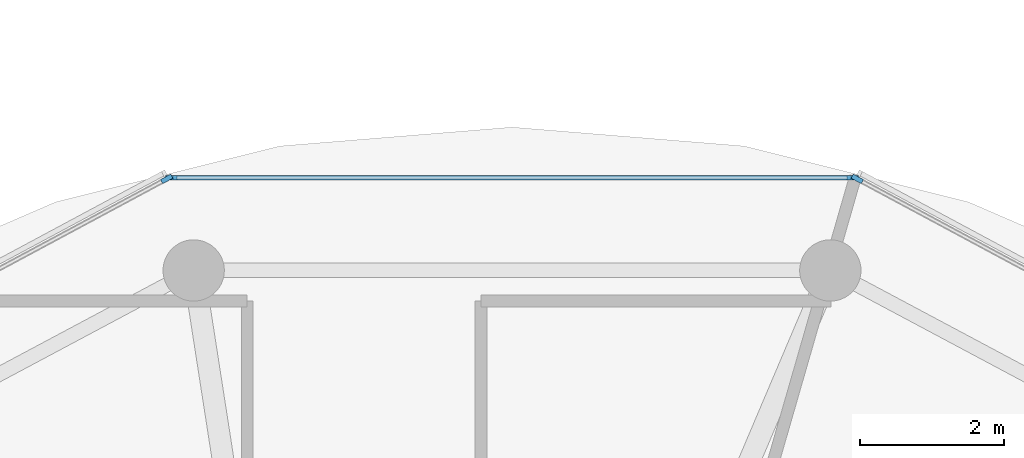
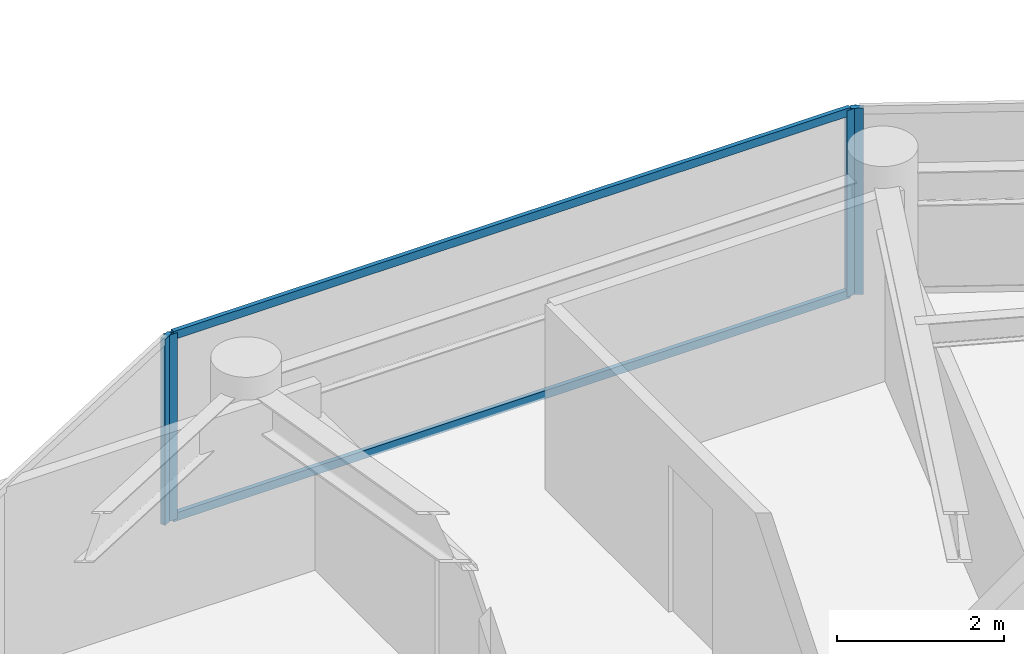
# One storey, part 9 of 22: 6 members, 3 elements without a shape of their own.
"""IFC4 building model written with IfcOpenShell, lengths in metres."""

from ifc_helpers import new_model, si_unit, direction, frame, origin, origin_2d, place, context, subcontext, project, spatial, rectangle, extrude, source, transform, mapped, material, layer, layer_set, material_profile, profile_set, type_object, type_shapes, element, aggregate, save


model = new_model("IFC4")

# Units and contexts
model_context = context("Model", 3, precision=1e-05, world=origin(), true_north=direction((0.0, 1.0)))
body_context = subcontext(model_context, "Body", "Model", "MODEL_VIEW")
ifc_project = project(units=[si_unit("LENGTHUNIT", "METRE"), si_unit("AREAUNIT", "SQUARE_METRE"), si_unit("VOLUMEUNIT", "CUBIC_METRE"), si_unit("PLANEANGLEUNIT", "RADIAN"), si_unit("MASSUNIT", "GRAM", prefix="KILO")], contexts=[model_context])

# Site, building, storey
site_placement = place(None, origin())
site = spatial("IfcSite", under=ifc_project, at=site_placement, CompositionType="ELEMENT")
building_placement = place(site_placement, origin())
building = spatial("IfcBuilding", under=site, at=building_placement, Name="Norrkilde Senior Care Towers", CompositionType="ELEMENT")
storey_placement = place(building_placement, frame((0.0, 0.0, 126.75)))
storey = spatial("IfcBuildingStorey", under=building, at=storey_placement, Name="L39", CompositionType="ELEMENT", Elevation=126.75)

# Curtain wall, member
ifc_material_1 = material(Name="Triple Low-E Insulated Glazing", Category="glass")
ifc_layer = layer(ifc_material_1, 0.195068359375)
ifc_layer_set = layer_set([ifc_layer], Name="Triple Low-E Insulated Glazing")
curtain_wall_type = type_object("IfcCurtainWallType", Name="CW3 Zone 2 Assisted Living Curtain Wall", PredefinedType="NOTDEFINED", material=ifc_layer_set)
curtain_wall_1_placement = place(storey_placement, origin())
curtain_wall_1 = element("IfcCurtainWall", 1, at=curtain_wall_1_placement, inside=storey, type_object=curtain_wall_type, Name="L39 Drum W Curtain Wall 01", PredefinedType="NOTDEFINED")
ifc_material_2 = material(Name="Anodised Aluminium", Category="aluminium")
ifc_material_profile_1 = material_profile(ifc_material_2, rectangle(XDim=0.06494140625, YDim=0.159912109375, at=origin_2d()), Name="ALU MULL 65x160")
ifc_profile_set_1 = profile_set([ifc_material_profile_1], Name="Anodised Aluminium")
member_type_1 = type_object("IfcMemberType", Name="Curtain Wall Mullion Z1-Z2 65x160", PredefinedType="MULLION", material=ifc_profile_set_1)
shared_shape_1 = source(origin(), body_context, "Body", "SweptSolid", [
    extrude(rectangle(XDim=0.06494140625, YDim=0.159912109375, at=origin_2d()), origin(), (0.0, 0.0, 1.0), 2.72998046875),
])
type_shapes(member_type_1, [shared_shape_1])
member_1_placement = place(storey_placement, frame((-21.164306640625, 16.482666015625, 0.0), z_axis=(0.0, 0.0, 1.0), x_axis=(0.472769402511, 0.881186184668, 0.0)))
member_1 = element("IfcMember", 2, at=member_1_placement, type_object=member_type_1, Name="CW-3 mullion 1", PredefinedType="MULLION", context=body_context, shape_type="MappedRepresentation", body=[
    mapped(shared_shape_1, transform((0.0, 0.0, 0.0), x_axis=(1.0, 0.0, 0.0), y_axis=(0.0, 1.0, 0.0), z_axis=(0.0, 0.0, 1.0), scale=1.0)),
])
aggregate(curtain_wall_1, [member_1])

# Curtain wall, members
curtain_wall_2_placement = place(storey_placement, origin())
curtain_wall_2 = element("IfcCurtainWall", 3, at=curtain_wall_2_placement, inside=storey, type_object=curtain_wall_type, Name="L39 Drum W Curtain Wall 02", PredefinedType="NOTDEFINED")
member_2_placement = place(storey_placement, frame((-30.674560546875, 16.498046875, 0.0), z_axis=(0.0, 0.0, 1.0), x_axis=(0.0, 1.0, 0.0)))
member_2 = element("IfcMember", 4, at=member_2_placement, type_object=member_type_1, Name="CW-3 mullion 1", PredefinedType="MULLION", context=body_context, shape_type="MappedRepresentation", body=[
    mapped(shared_shape_1, transform((0.0, 0.0, 0.0), x_axis=(1.0, 0.0, 0.0), y_axis=(0.0, 1.0, 0.0), z_axis=(0.0, 0.0, 1.0), scale=1.0)),
])
member_3_placement = place(storey_placement, frame((-21.225341796875, 16.498046875, 0.0), z_axis=(0.0, 0.0, 1.0), x_axis=(0.0, 1.0, 0.0)))
member_3 = element("IfcMember", 5, at=member_3_placement, type_object=member_type_1, Name="CW-3 mullion 2", PredefinedType="MULLION", context=body_context, shape_type="MappedRepresentation", body=[
    mapped(shared_shape_1, transform((0.0, 0.0, 0.0), x_axis=(1.0, 0.0, 0.0), y_axis=(0.0, 1.0, 0.0), z_axis=(0.0, 0.0, 1.0), scale=1.0)),
])

# Curtain wall, member
curtain_wall_3_placement = place(storey_placement, origin())
curtain_wall_3 = element("IfcCurtainWall", 6, at=curtain_wall_3_placement, inside=storey, type_object=curtain_wall_type, Name="L39 Drum W Curtain Wall 03", PredefinedType="NOTDEFINED")
member_4_placement = place(storey_placement, frame((-30.73583984375, 16.482666015625, 0.0), z_axis=(0.0, 0.0, 1.0), x_axis=(-0.472769402511, 0.881186184668, 0.0)))
member_4 = element("IfcMember", 7, at=member_4_placement, type_object=member_type_1, Name="CW-3 mullion 2", PredefinedType="MULLION", context=body_context, shape_type="MappedRepresentation", body=[
    mapped(shared_shape_1, transform((0.0, 0.0, 0.0), x_axis=(1.0, 0.0, 0.0), y_axis=(0.0, 1.0, 0.0), z_axis=(0.0, 0.0, 1.0), scale=1.0)),
])
aggregate(curtain_wall_3, [member_4])

# Member
ifc_material_profile_2 = material_profile(ifc_material_2, rectangle(XDim=0.06005859375, YDim=0.1201171875, at=origin_2d()), Name="ALU TRAN 60x120")
ifc_profile_set_2 = profile_set([ifc_material_profile_2], Name="Anodised Aluminium")
member_type_2 = type_object("IfcMemberType", Name="Curtain Wall Transom Typical 60x120", PredefinedType="USERDEFINED", material=ifc_profile_set_2)
shared_shape_2 = source(origin(), body_context, "Body", "SweptSolid", [
    extrude(rectangle(XDim=0.06005859375, YDim=0.1201171875, at=origin_2d()), origin(), (0.0, 0.0, 1.0), 9.38427734375),
])
type_shapes(member_type_2, [shared_shape_2])
member_5_placement = place(storey_placement, frame((-30.64208984375, 16.498046875, 0.030029296875), z_axis=(1.0, 0.0, 0.0), x_axis=(0.0, 1.0, 0.0)))
member_5 = element("IfcMember", 8, at=member_5_placement, type_object=member_type_2, Name="CW-3 transom 1.1", ObjectType="TRANSOM", PredefinedType="USERDEFINED", context=body_context, shape_type="MappedRepresentation", body=[
    mapped(shared_shape_2, transform((0.0, 0.0, 0.0), x_axis=(1.0, 0.0, 0.0), y_axis=(0.0, 1.0, 0.0), z_axis=(0.0, 0.0, 1.0), scale=1.0)),
])

member_6_placement = place(storey_placement, frame((-30.64208984375, 16.498046875, 2.699951171875), z_axis=(1.0, 0.0, 0.0), x_axis=(0.0, 1.0, 0.0)))
member_6 = element("IfcMember", 9, at=member_6_placement, type_object=member_type_2, Name="CW-3 transom 1.2", ObjectType="TRANSOM", PredefinedType="USERDEFINED", context=body_context, shape_type="MappedRepresentation", body=[
    mapped(shared_shape_2, transform((0.0, 0.0, 0.0), x_axis=(1.0, 0.0, 0.0), y_axis=(0.0, 1.0, 0.0), z_axis=(0.0, 0.0, 1.0), scale=1.0)),
])

aggregate(curtain_wall_2, [member_2, member_3, member_5, member_6])

save(model, "model.ifc")
